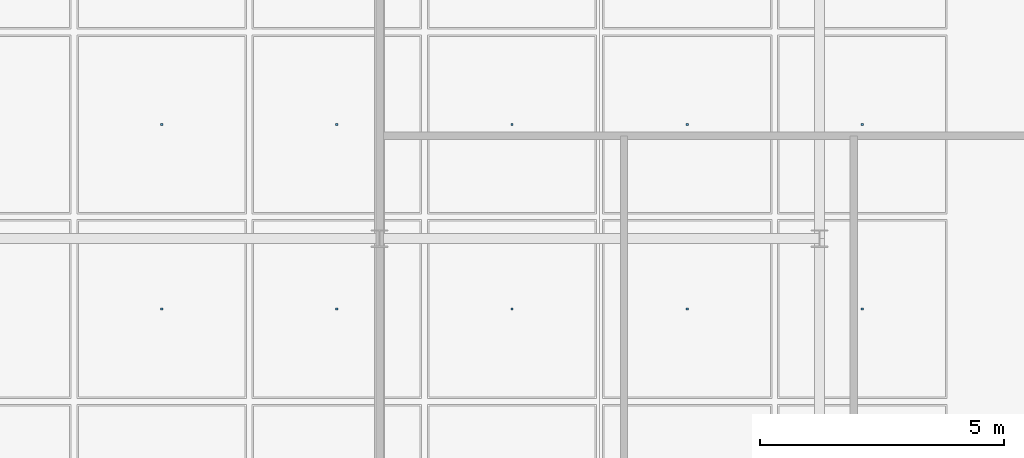
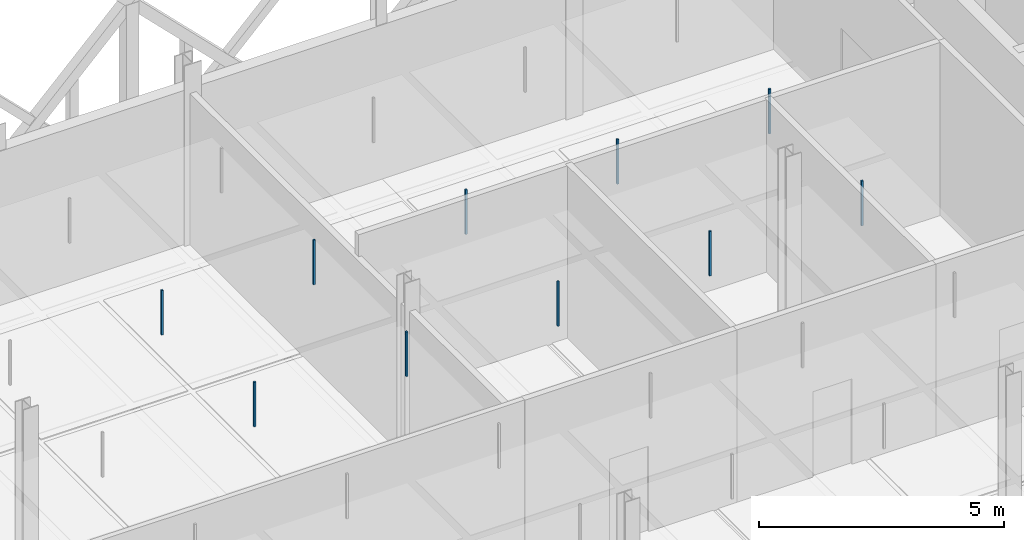
# One storey, part 103 of 140: 10 discrete accessories.
"""IFC4 building model written with IfcOpenShell, lengths in metres."""

from ifc_helpers import new_model, si_unit, direction, frame, origin, origin_2d, place, context, subcontext, project, spatial, rectangle, extrude, material, type_object, element, save


model = new_model("IFC4")

# Units and contexts
model_context = context("Model", 3, precision=1e-05, world=origin(), true_north=direction((0.0, 1.0)))
body_context = subcontext(model_context, "Body", "Model", "MODEL_VIEW")
ifc_project = project(units=[si_unit("LENGTHUNIT", "METRE"), si_unit("AREAUNIT", "SQUARE_METRE"), si_unit("VOLUMEUNIT", "CUBIC_METRE"), si_unit("PLANEANGLEUNIT", "RADIAN"), si_unit("MASSUNIT", "GRAM", prefix="KILO"), si_unit("THERMODYNAMICTEMPERATUREUNIT", "KELVIN"), si_unit("POWERUNIT", "WATT")], contexts=[model_context])

# Site, building, storey
site_placement = place(None, origin())
site = spatial("IfcSite", under=ifc_project, at=site_placement, CompositionType="ELEMENT")
building_placement = place(site_placement, origin())
building = spatial("IfcBuilding", under=site, at=building_placement, Name="Tallowbark Science Centre", CompositionType="ELEMENT")
storey_placement = place(building_placement, frame((0.0, 0.0, 9.89990234375)))
storey = spatial("IfcBuildingStorey", under=building, at=storey_placement, Name="L02", CompositionType="ELEMENT", Elevation=9.89990234375)

# Discrete accessories
ifc_material = material(Name="Galvanised Steel Grade C350L0 (350 MPa)", Category="steel")
discrete_accessory_type = type_object("IfcDiscreteAccessoryType", Name="ACC-CLG-HNG", PredefinedType="BRACKET", material=ifc_material)
for number, where, z_axis, x_axis, name in (
    (1, (72.041748046875, 30.0556640625, 3.20947265625), (0.0, 0.0, 1.0), (1.0, 0.0, 0.0), "Ceiling Hanger Bracket L02-789"),
    (2, (72.041748046875, 33.833251953125, 3.20947265625), (0.0, 0.0, 1.0), (1.0, 0.0, 0.0), "Ceiling Hanger Bracket L02-790"),
    (3, (75.625, 30.0556640625, 3.20947265625), (0.0, 0.0, 1.0), (1.0, 0.0, 0.0), "Ceiling Hanger Bracket L02-798"),
    (4, (75.625, 33.833251953125, 3.20947265625), (0.0, 0.0, 1.0), (1.0, 0.0, 0.0), "Ceiling Hanger Bracket L02-799"),
    (5, (79.208251953125, 30.0556640625, 3.20947265625), (0.0, 0.0, 1.0), (1.0, 0.0, 0.0), "Ceiling Hanger Bracket L02-807"),
    (6, (79.208251953125, 33.833251953125, 3.20947265625), (0.0, 0.0, 1.0), (1.0, 0.0, 0.0), "Ceiling Hanger Bracket L02-808"),
    (7, (82.791748046875, 30.0556640625, 3.20947265625), (0.0, 0.0, 1.0), (1.0, 0.0, 0.0), "Ceiling Hanger Bracket L02-816"),
    (8, (82.791748046875, 33.833251953125, 3.20947265625), (0.0, 0.0, 1.0), (1.0, 0.0, 0.0), "Ceiling Hanger Bracket L02-817"),
    (9, (86.375, 30.0556640625, 3.20947265625), (0.0, 0.0, 1.0), (1.0, 0.0, 0.0), "Ceiling Hanger Bracket L02-825"),
    (10, (86.375, 33.833251953125, 3.20947265625), (0.0, 0.0, 1.0), (1.0, 0.0, 0.0), "Ceiling Hanger Bracket L02-826"),
):
    element("IfcDiscreteAccessory", number, at=place(storey_placement, frame(where, z_axis=z_axis, x_axis=x_axis)), inside=storey, type_object=discrete_accessory_type, Name=name, PredefinedType="BRACKET", context=body_context, shape_type="SweptSolid", body=[
        extrude(rectangle(XDim=0.044921875, YDim=0.044921875, at=origin_2d()), origin(), (0.0, 0.0, 1.0), 1.113525390625),
    ])

save(model, "model.ifc")
